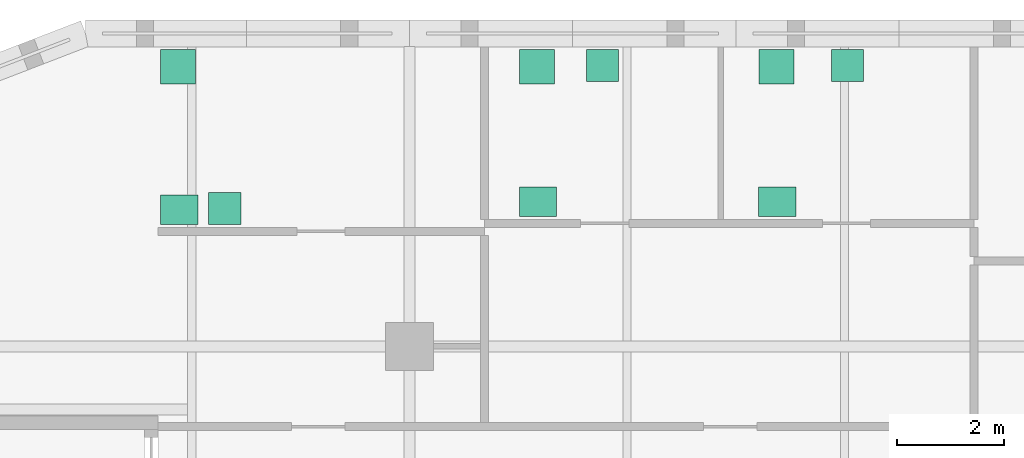
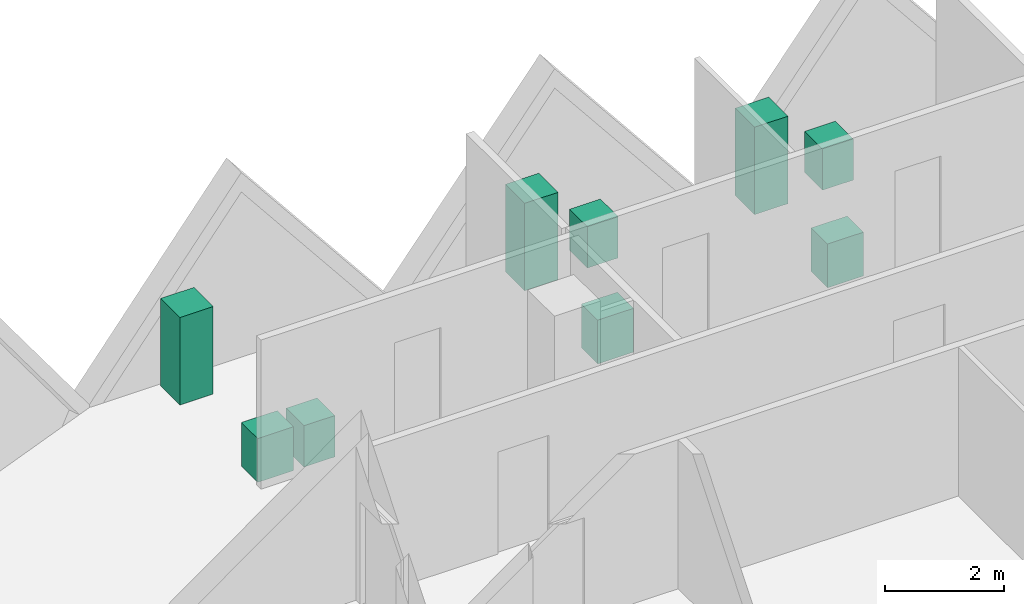
# One storey, part 13 of 13: 6 electric appliances, 3 sanitary terminals.
"""IFC4 building model written with IfcOpenShell, lengths in metres."""

from ifc_helpers import new_model, si_unit, direction, frame, origin, origin_2d, place, context, subcontext, project, spatial, rectangle, extrude, material, type_object, element, save


model = new_model("IFC4")

# Units and contexts
model_context = context("Model", 3, precision=1e-05, world=origin(), true_north=direction((0.0, 1.0)))
body_context = subcontext(model_context, "Body", "Model", "MODEL_VIEW")
ifc_project = project(units=[si_unit("LENGTHUNIT", "METRE"), si_unit("AREAUNIT", "SQUARE_METRE"), si_unit("VOLUMEUNIT", "CUBIC_METRE"), si_unit("PLANEANGLEUNIT", "RADIAN"), si_unit("MASSUNIT", "GRAM", prefix="KILO")], contexts=[model_context])

# Site, building, storey
site_placement = place(None, origin())
site = spatial("IfcSite", under=ifc_project, at=site_placement, CompositionType="ELEMENT")
building_placement = place(site_placement, origin())
building = spatial("IfcBuilding", under=site, at=building_placement, Name="Tessera Gate Towers", CompositionType="ELEMENT")
storey_placement = place(building_placement, frame((0.0, 0.0, 116.39990234375)))
storey = spatial("IfcBuildingStorey", under=building, at=storey_placement, Name="L28", CompositionType="ELEMENT", Elevation=116.39990234375)

# Electric appliances
ifc_material_1 = material(Name="Enamelled steel", Category="steel")
electric_appliance_type_1 = type_object("IfcElectricApplianceType", Name="DISHWASHER 600x600", PredefinedType="DISHWASHER", material=ifc_material_1)
for number, where, z_axis, x_axis, name in (
    (1, (8.75, 51.375, 0.0), (0.0, 0.0, 1.0), (1.0, 0.0, 0.0), "Dishwasher"),
    (2, (15.81005859375, 54.050048828125, 0.0), (0.0, 0.0, 1.0), (1.0, 0.0, 0.0), "Dishwasher"),
    (3, (20.385009765625, 54.050048828125, 0.0), (0.0, 0.0, 1.0), (1.0, 0.0, 0.0), "Dishwasher"),
):
    element("IfcElectricAppliance", number, at=place(storey_placement, frame(where, z_axis=z_axis, x_axis=x_axis)), inside=storey, type_object=electric_appliance_type_1, Name=name, PredefinedType="DISHWASHER", context=body_context, shape_type="SweptSolid", body=[
        extrude(rectangle(XDim=0.60009765625, YDim=0.60009765625, at=origin_2d()), origin(), (0.0, 0.0, 1.0), 0.85009765625),
    ])
ifc_material_2 = material(Name="Enamelled steel", Category="steel")
electric_appliance_type_2 = type_object("IfcElectricApplianceType", Name="REFRIGERATOR 650x650", PredefinedType="FRIDGE_FREEZER", material=ifc_material_2)
for number, where, z_axis, x_axis, name in (
    (4, (7.875, 54.02490234375, 0.0), (0.0, 0.0, 1.0), (1.0, 0.0, 0.0), "Refrigerator"),
    (5, (14.5869140625, 54.02490234375, 0.0), (0.0, 0.0, 1.0), (1.0, 0.0, 0.0), "Refrigerator"),
    (6, (19.05908203125, 54.02490234375, 0.0), (0.0, 0.0, 1.0), (1.0, 0.0, 0.0), "Refrigerator"),
):
    element("IfcElectricAppliance", number, at=place(storey_placement, frame(where, z_axis=z_axis, x_axis=x_axis)), inside=storey, type_object=electric_appliance_type_2, Name=name, PredefinedType="FRIDGE_FREEZER", context=body_context, shape_type="SweptSolid", body=[
        extrude(rectangle(XDim=0.64990234375, YDim=0.64990234375, at=origin_2d()), origin(), (0.0, 0.0, 1.0), 1.800048828125),
    ])

# Sanitary terminals
ifc_material_3 = material(Name="Vitreous china")
sanitary_terminal_type = type_object("IfcSanitaryTerminalType", Name="SINK 700x550", PredefinedType="SINK", material=ifc_material_3)
for number, where, z_axis, x_axis, name in (
    (7, (7.89990234375, 51.35009765625, 0.000244140625), (0.0, 0.0, 1.0), (1.0, 0.0, 0.0), "Sink"),
    (8, (14.60302734375, 51.5, 0.000244140625), (0.0, 0.0, 1.0), (1.0, 0.0, 0.0), "Sink"),
    (9, (19.074951171875, 51.5, 0.000244140625), (0.0, 0.0, 1.0), (1.0, 0.0, 0.0), "Sink"),
):
    element("IfcSanitaryTerminal", number, at=place(storey_placement, frame(where, z_axis=z_axis, x_axis=x_axis)), inside=storey, type_object=sanitary_terminal_type, Name=name, PredefinedType="SINK", context=body_context, shape_type="SweptSolid", body=[
        extrude(rectangle(XDim=0.699951171875, YDim=0.550048828125, at=origin_2d()), origin(), (0.0, 0.0, 1.0), 0.89990234375),
    ])

save(model, "model.ifc")
